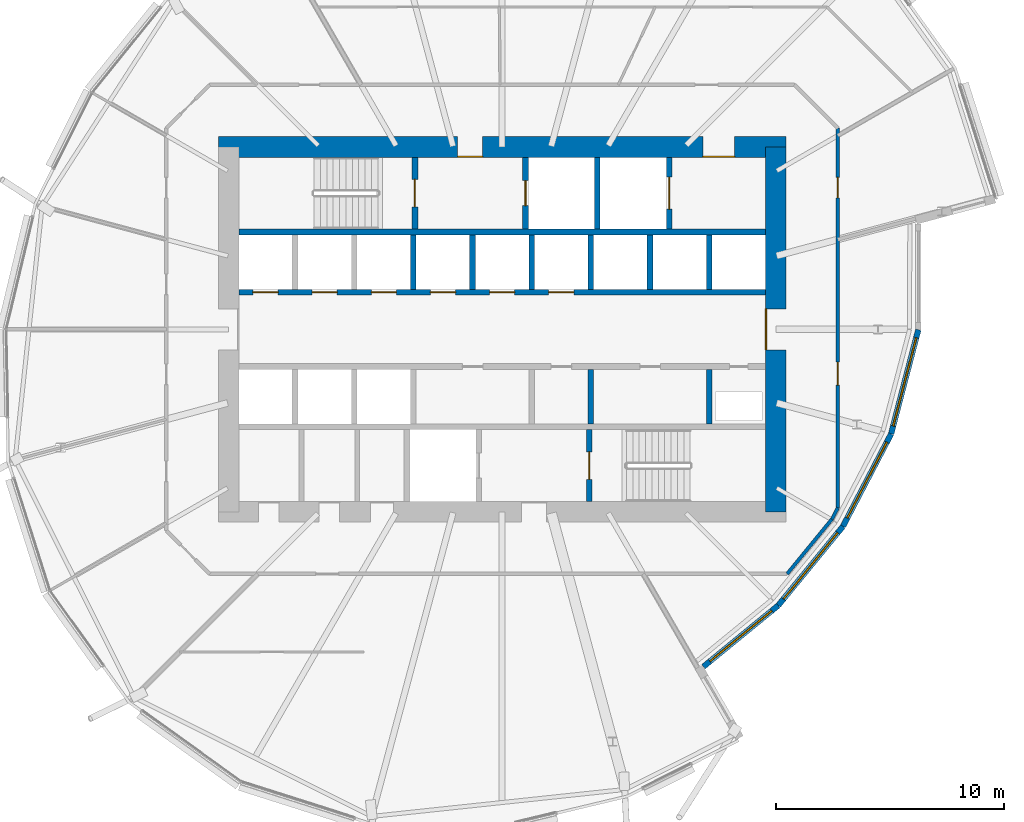
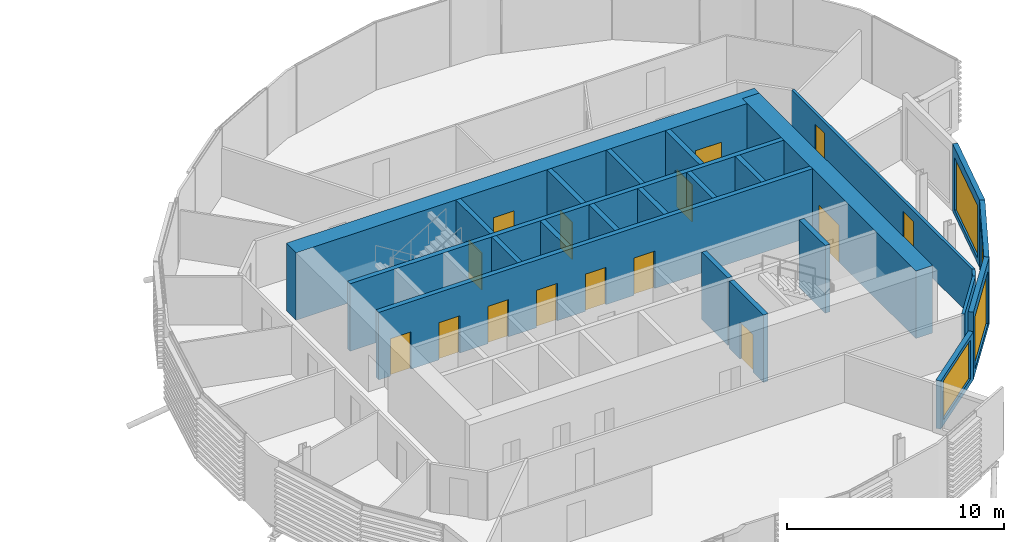
# One storey, part 25 of 38: 24 walls, 15 doors, 4 windows, 19 openings.
"""IFC4 building model written with IfcOpenShell, lengths in metres."""

import ifcopenshell
import ifcopenshell.guid

model = None  # the IFC model being written
_history = None  # IfcOwnerHistory: only IFC2X3 demands one
_inside = {}  # id of a spatial element -> (the spatial element, [elements in it])
_under = {}  # id of a project, library or spatial element -> (it, [spatial elements below it])
_declared = {}  # id of a project -> (the project, [libraries it declares])
_typed = {}  # id of a type object -> (the type object, [elements of that type])
_made_of = {}  # id of a material, layer set ... -> (it, [elements and type objects made of it])


def new_model(schema):
    """Start an empty IFC model of exactly this schema.

    Asked for "IFC4X3", IfcOpenShell would pick the latest addendum, in which some entities
    have other attributes; the version numbers below select the first issue.
    IFC2X3 requires an IfcOwnerHistory on every rooted entity: one is made here for all.
    """
    global model, _history
    if schema == "IFC4X3":
        model = ifcopenshell.file(schema_version=(4, 3, 0, 0))
    else:
        model = ifcopenshell.file(schema=schema)
    _inside.clear()
    _under.clear()
    _declared.clear()
    _typed.clear()
    _made_of.clear()
    _history = None
    if model.schema == "IFC2X3":
        org = make("IfcOrganization", Name="unknown")
        user = make(
            "IfcPersonAndOrganization",
            ThePerson=make("IfcPerson", FamilyName="unknown"),
            TheOrganization=org,
        )
        app = make(
            "IfcApplication",
            ApplicationDeveloper=org,
            Version="unknown",
            ApplicationFullName="unknown",
            ApplicationIdentifier="unknown",
        )
        _history = make(
            "IfcOwnerHistory",
            OwningUser=user,
            OwningApplication=app,
            ChangeAction="ADDED",
            CreationDate=0,
        )
    return model


def make(cls, **values):
    """One entity of the class cls with the attributes given. An attribute that is None is left unset."""
    return model.create_entity(
        cls, **{name: value for name, value in values.items() if value is not None}
    )


def rooted(cls, **values):
    """An entity with a GlobalId (a new one), such as an element, a storey or a relation."""
    return make(cls, GlobalId=ifcopenshell.guid.new(), OwnerHistory=_history, **values)


def si_unit(unit_type, name, prefix=None):
    """IfcSIUnit, for example si_unit("LENGTHUNIT", "METRE", prefix="MILLI")."""
    return make("IfcSIUnit", UnitType=unit_type, Prefix=prefix, Name=name)


def assignment(units):
    """IfcUnitAssignment: the units of a project."""
    return None if units is None else make("IfcUnitAssignment", Units=units)


def point(xyz):
    """IfcCartesianPoint."""
    return None if xyz is None else make("IfcCartesianPoint", Coordinates=xyz)


def direction(xyz):
    """IfcDirection."""
    return None if xyz is None else make("IfcDirection", DirectionRatios=xyz)


def frame(location, z_axis=None, x_axis=None):
    """IfcAxis2Placement3D, a coordinate frame: its origin and axes. An axis left out is left unset."""
    return make(
        "IfcAxis2Placement3D",
        Location=point(location),
        Axis=direction(z_axis),
        RefDirection=direction(x_axis),
    )


def frame_2d(location, x_axis=None):
    """IfcAxis2Placement2D, a coordinate frame in the plane: its origin and x axis."""
    return make(
        "IfcAxis2Placement2D", Location=point(location), RefDirection=direction(x_axis)
    )


def origin():
    """The frame at (0, 0, 0) with its axes left unset."""
    return frame((0.0, 0.0, 0.0))


def place(relative_to, where):
    """IfcLocalPlacement: puts the frame where relative to a parent placement (None: the world)."""
    return make(
        "IfcLocalPlacement", PlacementRelTo=relative_to, RelativePlacement=where
    )


def context(
    kind, dimensions, precision=None, world=None, true_north=None, identifier=None
):
    """IfcGeometricRepresentationContext, for example the 3D "Model" context."""
    return make(
        "IfcGeometricRepresentationContext",
        ContextIdentifier=identifier,
        ContextType=kind,
        CoordinateSpaceDimension=dimensions,
        Precision=precision,
        WorldCoordinateSystem=world,
        TrueNorth=true_north,
    )


def subcontext(parent, identifier, kind, view, scale=None):
    """IfcGeometricRepresentationSubContext, for example "Body" below "Model"."""
    return make(
        "IfcGeometricRepresentationSubContext",
        ContextIdentifier=identifier,
        ContextType=kind,
        ParentContext=parent,
        TargetScale=scale,
        TargetView=view,
    )


def project(units=None, contexts=None):
    """IfcProject with its units and contexts."""
    return rooted(
        "IfcProject",
        Name="project",
        RepresentationContexts=contexts,
        UnitsInContext=assignment(units),
    )


def spatial(cls, under=None, at=None, **own):
    """A site, building, storey or space (cls), placed at a placement, below another one or the project."""
    s = rooted(cls, ObjectPlacement=at, **own)
    if under is not None:
        _under.setdefault(under.id(), (under, []))[1].append(s)
    return s


def profile(cls, at=None, kind="AREA", **sizes):
    """A parametric profile (cls). Its sizes go by their IFC names, for example OverallWidth=200.0."""
    return make(cls, ProfileType=kind, Position=at, **sizes)


def rectangle(**sizes):
    """IfcRectangleProfileDef."""
    return profile("IfcRectangleProfileDef", **sizes)


def extrude(swept, where, along, depth):
    """IfcExtrudedAreaSolid: the profile swept, set in the frame where, extruded along a direction by depth."""
    return make(
        "IfcExtrudedAreaSolid",
        SweptArea=swept,
        Position=where,
        ExtrudedDirection=direction(along),
        Depth=depth,
    )


def shape(context_of_items, identifier, shape_type, items):
    """IfcShapeRepresentation: the items that make up one representation, for example the "Body"."""
    return make(
        "IfcShapeRepresentation",
        ContextOfItems=context_of_items,
        RepresentationIdentifier=identifier,
        RepresentationType=shape_type,
        Items=items,
    )


def material(Name=None, Category=None):
    """IfcMaterial."""
    return make("IfcMaterial", Name=Name, Category=Category)


def layer(
    of_material, thickness, ventilated=None, Name=None, Category=None, Priority=None
):
    """IfcMaterialLayer: one layer of a wall or slab, of a material (None: an air gap)."""
    return make(
        "IfcMaterialLayer",
        Material=of_material,
        LayerThickness=thickness,
        IsVentilated=ventilated,
        Name=Name,
        Category=Category,
        Priority=Priority,
    )


def layer_set(layers, Name=None):
    """IfcMaterialLayerSet."""
    return make("IfcMaterialLayerSet", MaterialLayers=layers, LayerSetName=Name)


def made_of(thing, what):
    """Note that an element or type object is made of a material, layer set ...; save() writes the relation."""
    if what is not None:
        _made_of.setdefault(what.id(), (what, []))[1].append(thing)
    return thing


def type_object(cls, material=None, **own):
    """A type object (cls), such as IfcWallType, which elements share."""
    return made_of(rooted(cls, **own), material)


def element(
    cls,
    number,
    at=None,
    inside=None,
    cuts=None,
    type_object=None,
    material=None,
    context=None,
    identifier="Body",
    shape_type=None,
    held_by="IfcProductDefinitionShape",
    body=None,
    shapes=None,
    **own,
):
    """One element of the class cls, such as IfcWall. Its Tag is "e" and its number.

    at: its placement. inside: the storey or other place that contains it. cuts: it is an
    opening in that element (IfcRelVoidsElement). A single representation is given by context,
    identifier, shape_type and body (its items); several are given by shapes. held_by: the class
    of the entity that holds the representations. save() writes the other relations.
    """
    e = rooted(cls, Tag="e%d" % number, ObjectPlacement=at, **own)
    if body is not None:
        shapes = [shape(context, identifier, shape_type, body)]
    if shapes is not None:
        e.Representation = make(held_by, Representations=shapes)
    if inside is not None:
        _inside.setdefault(inside.id(), (inside, []))[1].append(e)
    if cuts is not None:
        rooted(
            "IfcRelVoidsElement", RelatingBuildingElement=cuts, RelatedOpeningElement=e
        )
    if type_object is not None:
        _typed.setdefault(type_object.id(), (type_object, []))[1].append(e)
    return made_of(e, material)


def fill(opening, filler):
    """IfcRelFillsElement: the door or window that sits in an opening."""
    return rooted(
        "IfcRelFillsElement",
        RelatingOpeningElement=opening,
        RelatedBuildingElement=filler,
    )


def aggregate(whole, parts):
    """IfcRelAggregates: a whole, such as a stair, and the parts it consists of."""
    return rooted("IfcRelAggregates", RelatingObject=whole, RelatedObjects=parts)


def save(model, path):
    """Write the relations noted so far, then the file.

    IfcRelAggregates (storeys below a building ...), IfcRelContainedInSpatialStructure (elements
    in a storey), IfcRelDefinesByType, IfcRelAssociatesMaterial and IfcRelDeclares: one each for
    every whole, place, type object, material and project.
    """
    for whole, parts in _under.values():
        aggregate(whole, parts)
    for where, things in _inside.values():
        rooted(
            "IfcRelContainedInSpatialStructure",
            RelatedElements=things,
            RelatingStructure=where,
        )
    for kind, things in _typed.values():
        rooted("IfcRelDefinesByType", RelatedObjects=things, RelatingType=kind)
    for what, things in _made_of.values():
        rooted("IfcRelAssociatesMaterial", RelatedObjects=things, RelatingMaterial=what)
    for by, libraries in _declared.values():
        rooted("IfcRelDeclares", RelatingContext=by, RelatedDefinitions=libraries)
    model.write(path)


model = new_model("IFC4")

# Units and contexts
model_context = context("Model", 3, precision=1e-05, world=origin(), true_north=direction((0.0, 1.0)))
body_context = subcontext(model_context, "Body", "Model", "MODEL_VIEW")
ifc_project = project(units=[si_unit("LENGTHUNIT", "METRE"), si_unit("AREAUNIT", "SQUARE_METRE"), si_unit("VOLUMEUNIT", "CUBIC_METRE"), si_unit("PLANEANGLEUNIT", "RADIAN"), si_unit("MASSUNIT", "GRAM", prefix="KILO")], contexts=[model_context])

# Site, building, storey
site_placement = place(None, origin())
site = spatial("IfcSite", under=ifc_project, at=site_placement, CompositionType="ELEMENT")
building_placement = place(site_placement, origin())
building = spatial("IfcBuilding", under=site, at=building_placement, Name="Rimbun Link Towers", CompositionType="ELEMENT")
storey_placement = place(building_placement, frame((0.0, 0.0, 56.60009765625)))
storey = spatial("IfcBuildingStorey", under=building, at=storey_placement, Name="L13", CompositionType="ELEMENT", Elevation=56.60009765625)

# Wall, opening, window
ifc_material_1 = material(Name="Dark enamelled glass spandrel on insulated aluminium backpan", Category="aluminium")
ifc_layer_1 = layer(ifc_material_1, 0.25)
ifc_layer_set_1 = layer_set([ifc_layer_1], Name="CS dark enamelled spandrel wall 250")
wall_type_1 = type_object("IfcWallType", Name="CS dark enamelled spandrel wall 250", PredefinedType="STANDARD", material=ifc_layer_set_1)
wall_1_placement = place(storey_placement, frame((43.859130859375, -12.109130859375, 0.0), z_axis=(0.0, 0.0, 1.0), x_axis=(-0.773862321131, -0.633353856809, 0.0)))
wall_1 = element("IfcWall", 1, at=wall_1_placement, inside=storey, type_object=wall_type_1, Name="Crease spandrel wall", PredefinedType="STANDARD", context=body_context, shape_type="SweptSolid", body=[
    extrude(rectangle(XDim=4.23779296875, YDim=0.25, at=frame_2d((2.118896484375, 0.0))), origin(), (0.0, 0.0, 1.0), 2.71142578125),
])
opening_1_placement = place(wall_1_placement, frame((0.368896484375, 0.0, 0.300048828125)))
opening_1 = element("IfcOpeningElement", 2, at=opening_1_placement, cuts=wall_1, Name="Opening WR35H220", PredefinedType="OPENING", context=body_context, shape_type="SweptSolid", body=[
    extrude(rectangle(XDim=3.5, YDim=2.199951171875, at=frame_2d((1.75, 1.10009765625))), frame((0.0, 0.135009765625, 0.0), z_axis=(0.0, -1.0, 0.0), x_axis=(1.0, 0.0, 0.0)), (0.0, 0.0, 1.0), 0.27001953125),
])
ifc_material_2 = material(Name="Aluminium framed fixed window, dark tinted low-e glass", Category="aluminium")
window_type_1 = type_object("IfcWindowType", Name="WR ribbon window 3500X2200", PartitioningType="SINGLE_PANEL", PredefinedType="WINDOW", material=ifc_material_2)
window_1_placement = place(opening_1_placement, origin())
window_1 = element("IfcWindow", 3, at=window_1_placement, inside=storey, type_object=window_type_1, Name="Crease ribbon window", OverallHeight=2.199951171875, OverallWidth=3.5, PartitioningType="SINGLE_PANEL", PredefinedType="WINDOW", context=body_context, shape_type="SweptSolid", body=[
    extrude(rectangle(XDim=3.5, YDim=2.199951171875, at=frame_2d((1.75, 1.10009765625))), frame((0.0, 0.030029296875, 0.0), z_axis=(0.0, -1.0, 0.0), x_axis=(1.0, 0.0, 0.0)), (0.0, 0.0, 1.0), 0.06005859375),
])
fill(opening_1, window_1)

wall_2_placement = place(storey_placement, frame((46.698974609375, -8.639404296875, 0.0), z_axis=(0.0, 0.0, 1.0), x_axis=(-0.633368246821, -0.773850543657, 0.0)))
wall_2 = element("IfcWall", 4, at=wall_2_placement, inside=storey, type_object=wall_type_1, Name="Crease spandrel wall", PredefinedType="STANDARD", context=body_context, shape_type="SweptSolid", body=[
    extrude(rectangle(XDim=4.483642578125, YDim=0.25, at=frame_2d((2.24169921875, 0.0))), origin(), (0.0, 0.0, 1.0), 3.7998046875),
])
opening_2_placement = place(wall_2_placement, frame((0.366943359375, 0.0, 0.300048828125)))
opening_2 = element("IfcOpeningElement", 5, at=opening_2_placement, cuts=wall_2, Name="Opening WR38H295", PredefinedType="OPENING", context=body_context, shape_type="SweptSolid", body=[
    extrude(rectangle(XDim=3.75, YDim=2.949951171875, at=frame_2d((1.875, 1.47509765625))), frame((0.0, 0.135009765625, 0.0), z_axis=(0.0, -1.0, 0.0), x_axis=(1.0, 0.0, 0.0)), (0.0, 0.0, 1.0), 0.27001953125),
])
ifc_material_3 = material(Name="Aluminium framed fixed window, dark tinted low-e glass", Category="aluminium")
window_type_2 = type_object("IfcWindowType", Name="WR ribbon window 3750X2950", PartitioningType="SINGLE_PANEL", PredefinedType="WINDOW", material=ifc_material_3)
window_2_placement = place(opening_2_placement, origin())
window_2 = element("IfcWindow", 6, at=window_2_placement, inside=storey, type_object=window_type_2, Name="Crease ribbon window", OverallHeight=2.949951171875, OverallWidth=3.75, PartitioningType="SINGLE_PANEL", PredefinedType="WINDOW", context=body_context, shape_type="SweptSolid", body=[
    extrude(rectangle(XDim=3.75, YDim=2.949951171875, at=frame_2d((1.875, 1.47509765625))), frame((0.0, 0.030029296875, 0.0), z_axis=(0.0, -1.0, 0.0), x_axis=(1.0, 0.0, 0.0)), (0.0, 0.0, 1.0), 0.06005859375),
])
fill(opening_2, window_2)

wall_3_placement = place(storey_placement, frame((48.811767578125, -4.58544921875, 0.0), z_axis=(0.0, 0.0, 1.0), x_axis=(-0.462168079919, -0.886792346552, 0.0)))
wall_3 = element("IfcWall", 7, at=wall_3_placement, inside=storey, type_object=wall_type_1, Name="Crease spandrel wall", PredefinedType="STANDARD", context=body_context, shape_type="SweptSolid", body=[
    extrude(rectangle(XDim=4.571533203125, YDim=0.25, at=frame_2d((2.28564453125, 0.0))), origin(), (0.0, 0.0, 1.0), 3.7998046875),
])
opening_3_placement = place(wall_3_placement, frame((0.41064453125, 0.0, 0.300048828125)))
opening_3 = element("IfcOpeningElement", 8, at=opening_3_placement, cuts=wall_3, Name="Opening WR38H295", PredefinedType="OPENING", context=body_context, shape_type="SweptSolid", body=[
    extrude(rectangle(XDim=3.75, YDim=2.949951171875, at=frame_2d((1.875, 1.47509765625))), frame((0.0, 0.135009765625, 0.0), z_axis=(0.0, -1.0, 0.0), x_axis=(1.0, 0.0, 0.0)), (0.0, 0.0, 1.0), 0.27001953125),
])
window_3_placement = place(opening_3_placement, origin())
window_3 = element("IfcWindow", 9, at=window_3_placement, inside=storey, type_object=window_type_2, Name="Crease ribbon window", OverallHeight=2.949951171875, OverallWidth=3.75, PartitioningType="SINGLE_PANEL", PredefinedType="WINDOW", context=body_context, shape_type="SweptSolid", body=[
    extrude(rectangle(XDim=3.75, YDim=2.949951171875, at=frame_2d((1.875, 1.47509765625))), frame((0.0, 0.030029296875, 0.0), z_axis=(0.0, -1.0, 0.0), x_axis=(1.0, 0.0, 0.0)), (0.0, 0.0, 1.0), 0.06005859375),
])
fill(opening_3, window_3)

wall_4_placement = place(storey_placement, frame((50.00537109375, -0.01611328125, 0.0), z_axis=(0.0, 0.0, 1.0), x_axis=(-0.252739651184, -0.967534324311, 0.0)))
wall_4 = element("IfcWall", 10, at=wall_4_placement, inside=storey, type_object=wall_type_1, Name="Crease spandrel wall", PredefinedType="STANDARD", context=body_context, shape_type="SweptSolid", body=[
    extrude(rectangle(XDim=4.72265625, YDim=0.25, at=frame_2d((2.361328125, 0.0))), origin(), (0.0, 0.0, 1.0), 3.7998046875),
])
opening_4_placement = place(wall_4_placement, frame((0.361328125, 0.0, 0.300048828125)))
opening_4 = element("IfcOpeningElement", 11, at=opening_4_placement, cuts=wall_4, Name="Opening WR40H295", PredefinedType="OPENING", context=body_context, shape_type="SweptSolid", body=[
    extrude(rectangle(XDim=4.0, YDim=2.949951171875, at=frame_2d((2.0, 1.47509765625))), frame((0.0, 0.135009765625, 0.0), z_axis=(0.0, -1.0, 0.0), x_axis=(1.0, 0.0, 0.0)), (0.0, 0.0, 1.0), 0.27001953125),
])
ifc_material_4 = material(Name="Aluminium framed fixed window, dark tinted low-e glass", Category="aluminium")
window_type_3 = type_object("IfcWindowType", Name="WR ribbon window 4000X2950", PartitioningType="SINGLE_PANEL", PredefinedType="WINDOW", material=ifc_material_4)
window_4_placement = place(opening_4_placement, origin())
window_4 = element("IfcWindow", 12, at=window_4_placement, inside=storey, type_object=window_type_3, Name="Crease ribbon window", OverallHeight=2.949951171875, OverallWidth=4.0, PartitioningType="SINGLE_PANEL", PredefinedType="WINDOW", context=body_context, shape_type="SweptSolid", body=[
    extrude(rectangle(XDim=4.0, YDim=2.949951171875, at=frame_2d((2.0, 1.47509765625))), frame((0.0, 0.030029296875, 0.0), z_axis=(0.0, -1.0, 0.0), x_axis=(1.0, 0.0, 0.0)), (0.0, 0.0, 1.0), 0.06005859375),
])
fill(opening_4, window_4)

# Wall, openings, doors
ifc_material_5 = material(Name="Concrete C60/75", Category="concrete")
ifc_layer_2 = layer(ifc_material_5, 0.89990234375)
ifc_layer_set_2 = layer_set([ifc_layer_2], Name="Core shear wall 900")
wall_type_2 = type_object("IfcWallType", Name="Core shear wall 900", PredefinedType="SHEAR", material=ifc_layer_set_2)
wall_5_placement = place(storey_placement, frame((19.300048828125, 8.0, 0.0), z_axis=(0.0, 0.0, 1.0), x_axis=(1.0, 0.0, 0.0)))
wall_5 = element("IfcWall", 13, at=wall_5_placement, inside=storey, type_object=wall_type_2, Name="L13 T2 core wall N", PredefinedType="SHEAR", context=body_context, shape_type="SweptSolid", body=[
    extrude(rectangle(XDim=24.89990234375, YDim=0.89990234375, at=frame_2d((12.449951171875, 0.0))), origin(), (0.0, 0.0, 1.0), 3.7998046875),
])
opening_5_placement = place(wall_5_placement, frame((10.5, 0.0, 0.0)))
opening_5 = element("IfcOpeningElement", 14, at=opening_5_placement, cuts=wall_5, Name="Opening C2DCF01N", PredefinedType="OPENING", context=body_context, shape_type="SweptSolid", body=[
    extrude(rectangle(XDim=1.10009765625, YDim=2.10009765625, at=frame_2d((0.550048828125, 1.050048828125))), frame((0.0, 0.4599609375, 0.0), z_axis=(0.0, -1.0, 0.0), x_axis=(1.0, 0.0, 0.0)), (0.0, 0.0, 1.0), 0.919921875),
])
opening_6_placement = place(wall_5_placement, frame((21.25, 0.0, 0.0)))
opening_6 = element("IfcOpeningElement", 15, at=opening_6_placement, cuts=wall_5, Name="Opening C2DSL02N", PredefinedType="OPENING", context=body_context, shape_type="SweptSolid", body=[
    extrude(rectangle(XDim=1.39990234375, YDim=2.10009765625, at=frame_2d((0.699951171875, 1.050048828125))), frame((0.0, 0.4599609375, 0.0), z_axis=(0.0, -1.0, 0.0), x_axis=(1.0, 0.0, 0.0)), (0.0, 0.0, 1.0), 0.919921875),
])
ifc_material_6 = material(Name="Steel fire door set", Category="steel")
door_type_1 = type_object("IfcDoorType", Name="Core fire door single", OperationType="SINGLE_SWING_LEFT", PredefinedType="DOOR", material=ifc_material_6)
door_1_placement = place(opening_5_placement, origin())
door_1 = element("IfcDoor", 16, at=door_1_placement, inside=storey, type_object=door_type_1, Name="L13 T2 firefighting lobby n door", OperationType="SINGLE_SWING_LEFT", OverallHeight=2.10009765625, OverallWidth=1.10009765625, PredefinedType="DOOR", context=body_context, shape_type="SweptSolid", body=[
    extrude(rectangle(XDim=1.10009765625, YDim=2.10009765625, at=frame_2d((0.550048828125, 1.050048828125))), frame((0.0, -0.39990234375, 0.0), z_axis=(0.0, -1.0, 0.0), x_axis=(1.0, 0.0, 0.0)), (0.0, 0.0, 1.0), 0.050048828125),
])
fill(opening_5, door_1)
ifc_material_7 = material(Name="Steel fire door set", Category="steel")
door_type_2 = type_object("IfcDoorType", Name="Service lobby door double", OperationType="DOUBLE_DOOR_SINGLE_SWING", PredefinedType="DOOR", material=ifc_material_7)
door_2_placement = place(opening_6_placement, origin())
door_2 = element("IfcDoor", 17, at=door_2_placement, inside=storey, type_object=door_type_2, Name="L13 T2 service lobby door", OperationType="DOUBLE_DOOR_SINGLE_SWING", OverallHeight=2.10009765625, OverallWidth=1.39990234375, PredefinedType="DOOR", context=body_context, shape_type="SweptSolid", body=[
    extrude(rectangle(XDim=1.39990234375, YDim=2.10009765625, at=frame_2d((0.699951171875, 1.050048828125))), frame((0.0, -0.39990234375, 0.0), z_axis=(0.0, -1.0, 0.0), x_axis=(1.0, 0.0, 0.0)), (0.0, 0.0, 1.0), 0.050048828125),
])
fill(opening_6, door_2)

# Wall, opening, door
wall_6_placement = place(storey_placement, frame((43.75, -8.0, 0.0), z_axis=(0.0, 0.0, 1.0), x_axis=(0.0, 1.0, 0.0)))
wall_6 = element("IfcWall", 18, at=wall_6_placement, inside=storey, type_object=wall_type_2, Name="L13 T2 core wall E", PredefinedType="SHEAR", context=body_context, shape_type="SweptSolid", body=[
    extrude(rectangle(XDim=16.0, YDim=0.89990234375, at=frame_2d((8.0, 0.0))), origin(), (0.0, 0.0, 1.0), 3.7998046875),
])
opening_7_placement = place(wall_6_placement, frame((7.10009765625, 0.0, 0.0)))
opening_7 = element("IfcOpeningElement", 19, at=opening_7_placement, cuts=wall_6, Name="Opening C2DCL01E", PredefinedType="OPENING", context=body_context, shape_type="SweptSolid", body=[
    extrude(rectangle(XDim=1.800048828125, YDim=2.10009765625, at=frame_2d((0.89990234375, 1.050048828125))), frame((0.0, 0.4599609375, 0.0), z_axis=(0.0, -1.0, 0.0), x_axis=(1.0, 0.0, 0.0)), (0.0, 0.0, 1.0), 0.919921875),
])
ifc_material_8 = material(Name="Steel fire door set", Category="steel")
door_type_3 = type_object("IfcDoorType", Name="Core lobby door double", OperationType="DOUBLE_DOOR_SINGLE_SWING", PredefinedType="DOOR", material=ifc_material_8)
door_3_placement = place(opening_7_placement, origin())
door_3 = element("IfcDoor", 20, at=door_3_placement, inside=storey, type_object=door_type_3, Name="L13 T2 lift lobby door", OperationType="DOUBLE_DOOR_SINGLE_SWING", OverallHeight=2.10009765625, OverallWidth=1.800048828125, PredefinedType="DOOR", context=body_context, shape_type="SweptSolid", body=[
    extrude(rectangle(XDim=1.800048828125, YDim=2.10009765625, at=frame_2d((0.89990234375, 1.050048828125))), frame((0.0, 0.4501953125, 0.0), z_axis=(0.0, -1.0, 0.0), x_axis=(1.0, 0.0, 0.0)), (0.0, 0.0, 1.0), 0.050048828125),
])
fill(opening_7, door_3)

# Wall, openings, doors
ifc_material_9 = material(Name="Plasterboard on steel stud, mineral wool", Category="steel")
ifc_layer_3 = layer(ifc_material_9, 0.14990234375)
ifc_layer_set_3 = layer_set([ifc_layer_3], Name="Corridor wall EI 30 150 mm")
wall_type_3 = type_object("IfcWallType", Name="Corridor wall EI 30 150 mm", PredefinedType="PARTITIONING", material=ifc_layer_set_3)
wall_7_placement = place(storey_placement, frame((46.47509765625, 8.82666015625, 0.0), z_axis=(0.0, 0.0, 1.0), x_axis=(0.0, -1.0, 0.0)))
wall_7 = element("IfcWall", 21, at=wall_7_placement, inside=storey, type_object=wall_type_3, Name="Corridor wall EI 30 150 mm", PredefinedType="PARTITIONING", context=body_context, shape_type="SweptSolid", body=[
    extrude(rectangle(XDim=16.651611328125, YDim=0.14990234375, at=frame_2d((8.32568359375, 0.0))), origin(), (0.0, 0.0, 1.0), 2.701904296875),
])
opening_8_placement = place(wall_7_placement, frame((2.1533203125, 0.0, 0.0)))
opening_8 = element("IfcOpeningElement", 22, at=opening_8_placement, cuts=wall_7, Name="Opening D02", PredefinedType="OPENING", context=body_context, shape_type="SweptSolid", body=[
    extrude(rectangle(XDim=0.89990234375, YDim=2.10009765625, at=frame_2d((0.449951171875, 1.050048828125))), frame((0.0, 0.0849609375, 0.0), z_axis=(0.0, -1.0, 0.0), x_axis=(1.0, 0.0, 0.0)), (0.0, 0.0, 1.0), 0.169921875),
])
opening_9_placement = place(wall_7_placement, frame((10.266357421875, 0.0, 0.0)))
opening_9 = element("IfcOpeningElement", 23, at=opening_9_placement, cuts=wall_7, Name="Opening D01", PredefinedType="OPENING", context=body_context, shape_type="SweptSolid", body=[
    extrude(rectangle(XDim=1.0, YDim=2.10009765625, at=frame_2d((0.5, 1.050048828125))), frame((0.0, 0.0849609375, 0.0), z_axis=(0.0, -1.0, 0.0), x_axis=(1.0, 0.0, 0.0)), (0.0, 0.0, 1.0), 0.169921875),
])
ifc_material_10 = material(Name="Fire-resisting timber door leaf", Category="wood")
door_type_4 = type_object("IfcDoorType", Name="Fire door FD30S 1000", OperationType="NOTDEFINED", PredefinedType="DOOR", material=ifc_material_10)
door_4_placement = place(opening_9_placement, origin())
door_4 = element("IfcDoor", 24, at=door_4_placement, inside=storey, type_object=door_type_4, Name="Fire door FD30S 1000 to Terrace office", OperationType="SINGLE_SWING_LEFT", OverallHeight=2.10009765625, OverallWidth=1.0, PredefinedType="DOOR", context=body_context, shape_type="SweptSolid", body=[
    extrude(rectangle(XDim=1.0, YDim=2.10009765625, at=frame_2d((0.5, 1.050048828125))), frame((0.0, 0.02490234375, 0.0), z_axis=(0.0, -1.0, 0.0), x_axis=(1.0, 0.0, 0.0)), (0.0, 0.0, 1.0), 0.050048828125),
])
fill(opening_9, door_4)
ifc_material_11 = material(Name="Fire-resisting timber door leaf", Category="wood")
door_type_5 = type_object("IfcDoorType", Name="Fire door FD30S 900", OperationType="NOTDEFINED", PredefinedType="DOOR", material=ifc_material_11)
door_5_placement = place(opening_8_placement, origin())
door_5 = element("IfcDoor", 25, at=door_5_placement, inside=storey, type_object=door_type_5, Name="Fire door FD30S 900 to Print room", OperationType="SINGLE_SWING_LEFT", OverallHeight=2.10009765625, OverallWidth=0.89990234375, PredefinedType="DOOR", context=body_context, shape_type="SweptSolid", body=[
    extrude(rectangle(XDim=0.89990234375, YDim=2.10009765625, at=frame_2d((0.449951171875, 1.050048828125))), frame((0.0, 0.02490234375, 0.0), z_axis=(0.0, -1.0, 0.0), x_axis=(1.0, 0.0, 0.0)), (0.0, 0.0, 1.0), 0.050048828125),
])
fill(opening_8, door_5)

# Walls
wall_8_placement = place(storey_placement, frame((46.21630859375, -8.321044921875, 0.0), z_axis=(0.0, 0.0, 1.0), x_axis=(0.462506359197, 0.886615964046, 0.0)))
element("IfcWall", 26, at=wall_8_placement, inside=storey, type_object=wall_type_3, Name="Corridor wall EI 30 150 mm", PredefinedType="PARTITIONING", context=body_context, shape_type="SweptSolid", body=[
    extrude(rectangle(XDim=0.5595703125, YDim=0.14990234375, at=frame_2d((0.27978515625, 0.0))), origin(), (0.0, 0.0, 1.0), 2.701904296875),
])
wall_9_placement = place(storey_placement, frame((44.248779296875, -10.72509765625, 0.0), z_axis=(0.0, 0.0, 1.0), x_axis=(0.63334905334, 0.773866252419, 0.0)))
element("IfcWall", 27, at=wall_9_placement, inside=storey, type_object=wall_type_3, Name="Corridor wall EI 30 150 mm", PredefinedType="PARTITIONING", context=body_context, shape_type="SweptSolid", body=[
    extrude(rectangle(XDim=3.1064453125, YDim=0.14990234375, at=frame_2d((1.55322265625, 0.0))), origin(), (0.0, 0.0, 1.0), 2.701904296875),
])
ifc_material_12 = material(Name="Concrete C60/75", Category="concrete")
ifc_layer_4 = layer(ifc_material_12, 0.25)
ifc_layer_set_4 = layer_set([ifc_layer_4], Name="Shaft wall 250")
wall_type_4 = type_object("IfcWallType", Name="Shaft wall 250", PredefinedType="SHEAR", material=ifc_layer_set_4)
wall_10_placement = place(storey_placement, frame((20.199951171875, 4.27490234375, 0.0), z_axis=(0.0, 0.0, 1.0), x_axis=(1.0, 0.0, 0.0)))
element("IfcWall", 28, at=wall_10_placement, inside=storey, type_object=wall_type_4, Name="L13 T2 core wall BN", PredefinedType="SHEAR", context=body_context, shape_type="SweptSolid", body=[
    extrude(rectangle(XDim=23.10009765625, YDim=0.25, at=frame_2d((11.550048828125, 0.0))), origin(), (0.0, 0.0, 1.0), 3.7998046875),
])

# Wall, openings, doors
wall_11_placement = place(storey_placement, frame((20.199951171875, 1.625, 0.0), z_axis=(0.0, 0.0, 1.0), x_axis=(1.0, 0.0, 0.0)))
wall_11 = element("IfcWall", 29, at=wall_11_placement, inside=storey, type_object=wall_type_4, Name="L13 T2 core wall FN", PredefinedType="SHEAR", context=body_context, shape_type="SweptSolid", body=[
    extrude(rectangle(XDim=23.10009765625, YDim=0.25, at=frame_2d((11.550048828125, 0.0))), origin(), (0.0, 0.0, 1.0), 3.7998046875),
])
opening_10_placement = place(wall_11_placement, frame((0.622314453125, 0.0, 0.0)))
opening_10 = element("IfcOpeningElement", 30, at=opening_10_placement, cuts=wall_11, Name="Opening LD-T2-LR1", PredefinedType="OPENING", context=body_context, shape_type="SweptSolid", body=[
    extrude(rectangle(XDim=1.10009765625, YDim=2.10009765625, at=frame_2d((0.550048828125, 1.050048828125))), frame((0.0, 0.135009765625, 0.0), z_axis=(0.0, -1.0, 0.0), x_axis=(1.0, 0.0, 0.0)), (0.0, 0.0, 1.0), 0.27001953125),
])
opening_11_placement = place(wall_11_placement, frame((3.216796875, 0.0, 0.0)))
opening_11 = element("IfcOpeningElement", 31, at=opening_11_placement, cuts=wall_11, Name="Opening LD-T2-LR2", PredefinedType="OPENING", context=body_context, shape_type="SweptSolid", body=[
    extrude(rectangle(XDim=1.10009765625, YDim=2.10009765625, at=frame_2d((0.550048828125, 1.050048828125))), frame((0.0, 0.135009765625, 0.0), z_axis=(0.0, -1.0, 0.0), x_axis=(1.0, 0.0, 0.0)), (0.0, 0.0, 1.0), 0.27001953125),
])
opening_12_placement = place(wall_11_placement, frame((5.81103515625, 0.0, 0.0)))
opening_12 = element("IfcOpeningElement", 32, at=opening_12_placement, cuts=wall_11, Name="Opening LD-T2-LR3", PredefinedType="OPENING", context=body_context, shape_type="SweptSolid", body=[
    extrude(rectangle(XDim=1.10009765625, YDim=2.10009765625, at=frame_2d((0.550048828125, 1.050048828125))), frame((0.0, 0.135009765625, 0.0), z_axis=(0.0, -1.0, 0.0), x_axis=(1.0, 0.0, 0.0)), (0.0, 0.0, 1.0), 0.27001953125),
])
opening_13_placement = place(wall_11_placement, frame((8.405517578125, 0.0, 0.0)))
opening_13 = element("IfcOpeningElement", 33, at=opening_13_placement, cuts=wall_11, Name="Opening LD-T2-LR4", PredefinedType="OPENING", context=body_context, shape_type="SweptSolid", body=[
    extrude(rectangle(XDim=1.10009765625, YDim=2.10009765625, at=frame_2d((0.550048828125, 1.050048828125))), frame((0.0, 0.135009765625, 0.0), z_axis=(0.0, -1.0, 0.0), x_axis=(1.0, 0.0, 0.0)), (0.0, 0.0, 1.0), 0.27001953125),
])
opening_14_placement = place(wall_11_placement, frame((11.0, 0.0, 0.0)))
opening_14 = element("IfcOpeningElement", 34, at=opening_14_placement, cuts=wall_11, Name="Opening LD-T2-LR5", PredefinedType="OPENING", context=body_context, shape_type="SweptSolid", body=[
    extrude(rectangle(XDim=1.10009765625, YDim=2.10009765625, at=frame_2d((0.550048828125, 1.050048828125))), frame((0.0, 0.135009765625, 0.0), z_axis=(0.0, -1.0, 0.0), x_axis=(1.0, 0.0, 0.0)), (0.0, 0.0, 1.0), 0.27001953125),
])
opening_15_placement = place(wall_11_placement, frame((13.594482421875, 0.0, 0.0)))
opening_15 = element("IfcOpeningElement", 35, at=opening_15_placement, cuts=wall_11, Name="Opening LD-T2-LR6", PredefinedType="OPENING", context=body_context, shape_type="SweptSolid", body=[
    extrude(rectangle(XDim=1.10009765625, YDim=2.10009765625, at=frame_2d((0.550048828125, 1.050048828125))), frame((0.0, 0.135009765625, 0.0), z_axis=(0.0, -1.0, 0.0), x_axis=(1.0, 0.0, 0.0)), (0.0, 0.0, 1.0), 0.27001953125),
])
ifc_material_13 = material(Name="Stainless steel grade 316", Category="steel")
door_type_6 = type_object("IfcDoorType", Name="Lift landing door", OperationType="DOUBLE_DOOR_SLIDING", PredefinedType="DOOR", material=ifc_material_13)
door_6_placement = place(opening_10_placement, origin())
door_6 = element("IfcDoor", 36, at=door_6_placement, inside=storey, type_object=door_type_6, Name="L13 T2 lift LR1 landing door", OperationType="DOUBLE_DOOR_SLIDING", OverallHeight=2.10009765625, OverallWidth=1.10009765625, PredefinedType="DOOR", context=body_context, shape_type="SweptSolid", body=[
    extrude(rectangle(XDim=1.10009765625, YDim=2.10009765625, at=frame_2d((0.550048828125, 1.050048828125))), frame((0.0, 0.02490234375, 0.0), z_axis=(0.0, -1.0, 0.0), x_axis=(1.0, 0.0, 0.0)), (0.0, 0.0, 1.0), 0.050048828125),
])
fill(opening_10, door_6)
door_7_placement = place(opening_11_placement, origin())
door_7 = element("IfcDoor", 37, at=door_7_placement, inside=storey, type_object=door_type_6, Name="L13 T2 lift LR2 landing door", OperationType="DOUBLE_DOOR_SLIDING", OverallHeight=2.10009765625, OverallWidth=1.10009765625, PredefinedType="DOOR", context=body_context, shape_type="SweptSolid", body=[
    extrude(rectangle(XDim=1.10009765625, YDim=2.10009765625, at=frame_2d((0.550048828125, 1.050048828125))), frame((0.0, 0.02490234375, 0.0), z_axis=(0.0, -1.0, 0.0), x_axis=(1.0, 0.0, 0.0)), (0.0, 0.0, 1.0), 0.050048828125),
])
fill(opening_11, door_7)
door_8_placement = place(opening_12_placement, origin())
door_8 = element("IfcDoor", 38, at=door_8_placement, inside=storey, type_object=door_type_6, Name="L13 T2 lift LR3 landing door", OperationType="DOUBLE_DOOR_SLIDING", OverallHeight=2.10009765625, OverallWidth=1.10009765625, PredefinedType="DOOR", context=body_context, shape_type="SweptSolid", body=[
    extrude(rectangle(XDim=1.10009765625, YDim=2.10009765625, at=frame_2d((0.550048828125, 1.050048828125))), frame((0.0, 0.02490234375, 0.0), z_axis=(0.0, -1.0, 0.0), x_axis=(1.0, 0.0, 0.0)), (0.0, 0.0, 1.0), 0.050048828125),
])
fill(opening_12, door_8)
door_9_placement = place(opening_13_placement, origin())
door_9 = element("IfcDoor", 39, at=door_9_placement, inside=storey, type_object=door_type_6, Name="L13 T2 lift LR4 landing door", OperationType="DOUBLE_DOOR_SLIDING", OverallHeight=2.10009765625, OverallWidth=1.10009765625, PredefinedType="DOOR", context=body_context, shape_type="SweptSolid", body=[
    extrude(rectangle(XDim=1.10009765625, YDim=2.10009765625, at=frame_2d((0.550048828125, 1.050048828125))), frame((0.0, 0.02490234375, 0.0), z_axis=(0.0, -1.0, 0.0), x_axis=(1.0, 0.0, 0.0)), (0.0, 0.0, 1.0), 0.050048828125),
])
fill(opening_13, door_9)
door_10_placement = place(opening_14_placement, origin())
door_10 = element("IfcDoor", 40, at=door_10_placement, inside=storey, type_object=door_type_6, Name="L13 T2 lift LR5 landing door", OperationType="DOUBLE_DOOR_SLIDING", OverallHeight=2.10009765625, OverallWidth=1.10009765625, PredefinedType="DOOR", context=body_context, shape_type="SweptSolid", body=[
    extrude(rectangle(XDim=1.10009765625, YDim=2.10009765625, at=frame_2d((0.550048828125, 1.050048828125))), frame((0.0, 0.02490234375, 0.0), z_axis=(0.0, -1.0, 0.0), x_axis=(1.0, 0.0, 0.0)), (0.0, 0.0, 1.0), 0.050048828125),
])
fill(opening_14, door_10)
door_11_placement = place(opening_15_placement, origin())
door_11 = element("IfcDoor", 41, at=door_11_placement, inside=storey, type_object=door_type_6, Name="L13 T2 lift LR6 landing door", OperationType="DOUBLE_DOOR_SLIDING", OverallHeight=2.10009765625, OverallWidth=1.10009765625, PredefinedType="DOOR", context=body_context, shape_type="SweptSolid", body=[
    extrude(rectangle(XDim=1.10009765625, YDim=2.10009765625, at=frame_2d((0.550048828125, 1.050048828125))), frame((0.0, 0.02490234375, 0.0), z_axis=(0.0, -1.0, 0.0), x_axis=(1.0, 0.0, 0.0)), (0.0, 0.0, 1.0), 0.050048828125),
])
fill(opening_15, door_11)

# Walls
for number, where, z_axis, x_axis, name in (
    (42, (27.8583984375, 1.75, 0.0), (0.0, 0.0, 1.0), (0.0, 1.0, 0.0), "L13 T2 core wall DN2"),
    (43, (30.452880859375, 1.75, 0.0), (0.0, 0.0, 1.0), (0.0, 1.0, 0.0), "L13 T2 core wall DN3"),
    (44, (33.047119140625, 1.75, 0.0), (0.0, 0.0, 1.0), (0.0, 1.0, 0.0), "L13 T2 core wall DN4"),
    (45, (35.6416015625, 1.75, 0.0), (0.0, 0.0, 1.0), (0.0, 1.0, 0.0), "L13 T2 core wall DN5"),
    (46, (38.236083984375, 1.75, 0.0), (0.0, 0.0, 1.0), (0.0, 1.0, 0.0), "L13 T2 core wall DN6"),
    (47, (40.83056640625, 1.75, 0.0), (0.0, 0.0, 1.0), (0.0, 1.0, 0.0), "L13 T2 core wall DN7"),
    (48, (35.6416015625, -4.14990234375, 0.0), (0.0, 0.0, 1.0), (0.0, 1.0, 0.0), "L13 T2 core wall DS5"),
    (49, (40.83056640625, -4.14990234375, 0.0), (0.0, 0.0, 1.0), (0.0, 1.0, 0.0), "L13 T2 core wall DS7"),
):
    element("IfcWall", number, at=place(storey_placement, frame(where, z_axis=z_axis, x_axis=x_axis)), inside=storey, type_object=wall_type_4, Name=name, PredefinedType="SHEAR", context=body_context, shape_type="SweptSolid", body=[
        extrude(rectangle(XDim=2.39990234375, YDim=0.25, at=frame_2d((1.199951171875, 0.0))), origin(), (0.0, 0.0, 1.0), 3.7998046875),
    ])

# Wall, opening, door
wall_12_placement = place(storey_placement, frame((27.925048828125, 4.39990234375, 0.0), z_axis=(0.0, 0.0, 1.0), x_axis=(0.0, 1.0, 0.0)))
wall_12 = element("IfcWall", 50, at=wall_12_placement, inside=storey, type_object=wall_type_4, Name="L13 T2 core wall A1", PredefinedType="SHEAR", context=body_context, shape_type="SweptSolid", body=[
    extrude(rectangle(XDim=3.150146484375, YDim=0.25, at=frame_2d((1.5751953125, 0.0))), origin(), (0.0, 0.0, 1.0), 3.7998046875),
])
opening_16_placement = place(wall_12_placement, frame((0.97509765625, 0.0, 0.0)))
opening_16 = element("IfcOpeningElement", 51, at=opening_16_placement, cuts=wall_12, Name="Opening C2DST01A1", PredefinedType="OPENING", context=body_context, shape_type="SweptSolid", body=[
    extrude(rectangle(XDim=1.199951171875, YDim=2.10009765625, at=frame_2d((0.60009765625, 1.050048828125))), frame((0.0, 0.135009765625, 0.0), z_axis=(0.0, -1.0, 0.0), x_axis=(1.0, 0.0, 0.0)), (0.0, 0.0, 1.0), 0.27001953125),
])
ifc_material_14 = material(Name="Steel fire door set", Category="steel")
door_type_7 = type_object("IfcDoorType", Name="Stair door", OperationType="SINGLE_SWING_LEFT", PredefinedType="DOOR", material=ifc_material_14)
door_12_placement = place(opening_16_placement, origin())
door_12 = element("IfcDoor", 52, at=door_12_placement, inside=storey, type_object=door_type_7, Name="L13 T2 stair a door", OperationType="SINGLE_SWING_RIGHT", OverallHeight=2.10009765625, OverallWidth=1.199951171875, PredefinedType="DOOR", context=body_context, shape_type="SweptSolid", body=[
    extrude(rectangle(XDim=1.199951171875, YDim=2.10009765625, at=frame_2d((0.60009765625, 1.050048828125))), frame((0.0, 0.02490234375, 0.0), z_axis=(0.0, -1.0, 0.0), x_axis=(1.0, 0.0, 0.0)), (0.0, 0.0, 1.0), 0.050048828125),
])
fill(opening_16, door_12)

wall_13_placement = place(storey_placement, frame((32.77490234375, 4.39990234375, 0.0), z_axis=(0.0, 0.0, 1.0), x_axis=(0.0, 1.0, 0.0)))
wall_13 = element("IfcWall", 53, at=wall_13_placement, inside=storey, type_object=wall_type_4, Name="L13 T2 core wall A2", PredefinedType="SHEAR", context=body_context, shape_type="SweptSolid", body=[
    extrude(rectangle(XDim=3.150146484375, YDim=0.25, at=frame_2d((1.5751953125, 0.0))), origin(), (0.0, 0.0, 1.0), 3.7998046875),
])
opening_17_placement = place(wall_13_placement, frame((1.02490234375, 0.0, 0.0)))
opening_17 = element("IfcOpeningElement", 54, at=opening_17_placement, cuts=wall_13, Name="Opening LD-T2-FF1", PredefinedType="OPENING", context=body_context, shape_type="SweptSolid", body=[
    extrude(rectangle(XDim=1.10009765625, YDim=2.10009765625, at=frame_2d((0.550048828125, 1.050048828125))), frame((0.0, 0.135009765625, 0.0), z_axis=(0.0, -1.0, 0.0), x_axis=(1.0, 0.0, 0.0)), (0.0, 0.0, 1.0), 0.27001953125),
])
door_13_placement = place(opening_17_placement, origin())
door_13 = element("IfcDoor", 55, at=door_13_placement, inside=storey, type_object=door_type_6, Name="L13 T2 lift FF1 landing door", OperationType="DOUBLE_DOOR_SLIDING", OverallHeight=2.10009765625, OverallWidth=1.10009765625, PredefinedType="DOOR", context=body_context, shape_type="SweptSolid", body=[
    extrude(rectangle(XDim=1.10009765625, YDim=2.10009765625, at=frame_2d((0.550048828125, 1.050048828125))), frame((0.0, 0.02490234375, 0.0), z_axis=(0.0, -1.0, 0.0), x_axis=(1.0, 0.0, 0.0)), (0.0, 0.0, 1.0), 0.050048828125),
])
fill(opening_17, door_13)

# Wall
wall_14_placement = place(storey_placement, frame((35.925048828125, 4.39990234375, 0.0), z_axis=(0.0, 0.0, 1.0), x_axis=(0.0, 1.0, 0.0)))
element("IfcWall", 56, at=wall_14_placement, inside=storey, type_object=wall_type_4, Name="L13 T2 core wall A3", PredefinedType="SHEAR", context=body_context, shape_type="SweptSolid", body=[
    extrude(rectangle(XDim=3.150146484375, YDim=0.25, at=frame_2d((1.5751953125, 0.0))), origin(), (0.0, 0.0, 1.0), 3.7998046875),
])

# Wall, opening, door
wall_15_placement = place(storey_placement, frame((39.074951171875, 4.39990234375, 0.0), z_axis=(0.0, 0.0, 1.0), x_axis=(0.0, 1.0, 0.0)))
wall_15 = element("IfcWall", 57, at=wall_15_placement, inside=storey, type_object=wall_type_4, Name="L13 T2 core wall A4", PredefinedType="SHEAR", context=body_context, shape_type="SweptSolid", body=[
    extrude(rectangle(XDim=3.150146484375, YDim=0.25, at=frame_2d((1.5751953125, 0.0))), origin(), (0.0, 0.0, 1.0), 3.7998046875),
])
opening_18_placement = place(wall_15_placement, frame((0.875, 0.0, 0.0)))
opening_18 = element("IfcOpeningElement", 58, at=opening_18_placement, cuts=wall_15, Name="Opening LD-T2-GL1", PredefinedType="OPENING", context=body_context, shape_type="SweptSolid", body=[
    extrude(rectangle(XDim=1.39990234375, YDim=2.10009765625, at=frame_2d((0.699951171875, 1.050048828125))), frame((0.0, 0.135009765625, 0.0), z_axis=(0.0, -1.0, 0.0), x_axis=(1.0, 0.0, 0.0)), (0.0, 0.0, 1.0), 0.27001953125),
])
ifc_material_15 = material(Name="Stainless steel grade 316", Category="steel")
door_type_8 = type_object("IfcDoorType", Name="Goods lift landing door", OperationType="DOUBLE_DOOR_SLIDING", PredefinedType="DOOR", material=ifc_material_15)
door_14_placement = place(opening_18_placement, origin())
door_14 = element("IfcDoor", 59, at=door_14_placement, inside=storey, type_object=door_type_8, Name="L13 T2 lift GL1 landing door", OperationType="DOUBLE_DOOR_SLIDING", OverallHeight=2.10009765625, OverallWidth=1.39990234375, PredefinedType="DOOR", context=body_context, shape_type="SweptSolid", body=[
    extrude(rectangle(XDim=1.39990234375, YDim=2.10009765625, at=frame_2d((0.699951171875, 1.050048828125))), frame((0.0, 0.02490234375, 0.0), z_axis=(0.0, -1.0, 0.0), x_axis=(1.0, 0.0, 0.0)), (0.0, 0.0, 1.0), 0.050048828125),
])
fill(opening_18, door_14)

wall_16_placement = place(storey_placement, frame((35.574951171875, -4.39990234375, 0.0), z_axis=(0.0, 0.0, 1.0), x_axis=(0.0, -1.0, 0.0)))
wall_16 = element("IfcWall", 60, at=wall_16_placement, inside=storey, type_object=wall_type_4, Name="L13 T2 core wall B1", PredefinedType="SHEAR", context=body_context, shape_type="SweptSolid", body=[
    extrude(rectangle(XDim=3.150146484375, YDim=0.25, at=frame_2d((1.5751953125, 0.0))), origin(), (0.0, 0.0, 1.0), 3.7998046875),
])
opening_19_placement = place(wall_16_placement, frame((0.97509765625, 0.0, 0.0)))
opening_19 = element("IfcOpeningElement", 61, at=opening_19_placement, cuts=wall_16, Name="Opening C2DST01B1", PredefinedType="OPENING", context=body_context, shape_type="SweptSolid", body=[
    extrude(rectangle(XDim=1.199951171875, YDim=2.10009765625, at=frame_2d((0.60009765625, 1.050048828125))), frame((0.0, 0.135009765625, 0.0), z_axis=(0.0, -1.0, 0.0), x_axis=(1.0, 0.0, 0.0)), (0.0, 0.0, 1.0), 0.27001953125),
])
door_15_placement = place(opening_19_placement, origin())
door_15 = element("IfcDoor", 62, at=door_15_placement, inside=storey, type_object=door_type_7, Name="L13 T2 stair b door", OperationType="SINGLE_SWING_RIGHT", OverallHeight=2.10009765625, OverallWidth=1.199951171875, PredefinedType="DOOR", context=body_context, shape_type="SweptSolid", body=[
    extrude(rectangle(XDim=1.199951171875, YDim=2.10009765625, at=frame_2d((0.60009765625, 1.050048828125))), frame((0.0, 0.02490234375, 0.0), z_axis=(0.0, -1.0, 0.0), x_axis=(1.0, 0.0, 0.0)), (0.0, 0.0, 1.0), 0.050048828125),
])
fill(opening_19, door_15)

save(model, "model.ifc")
